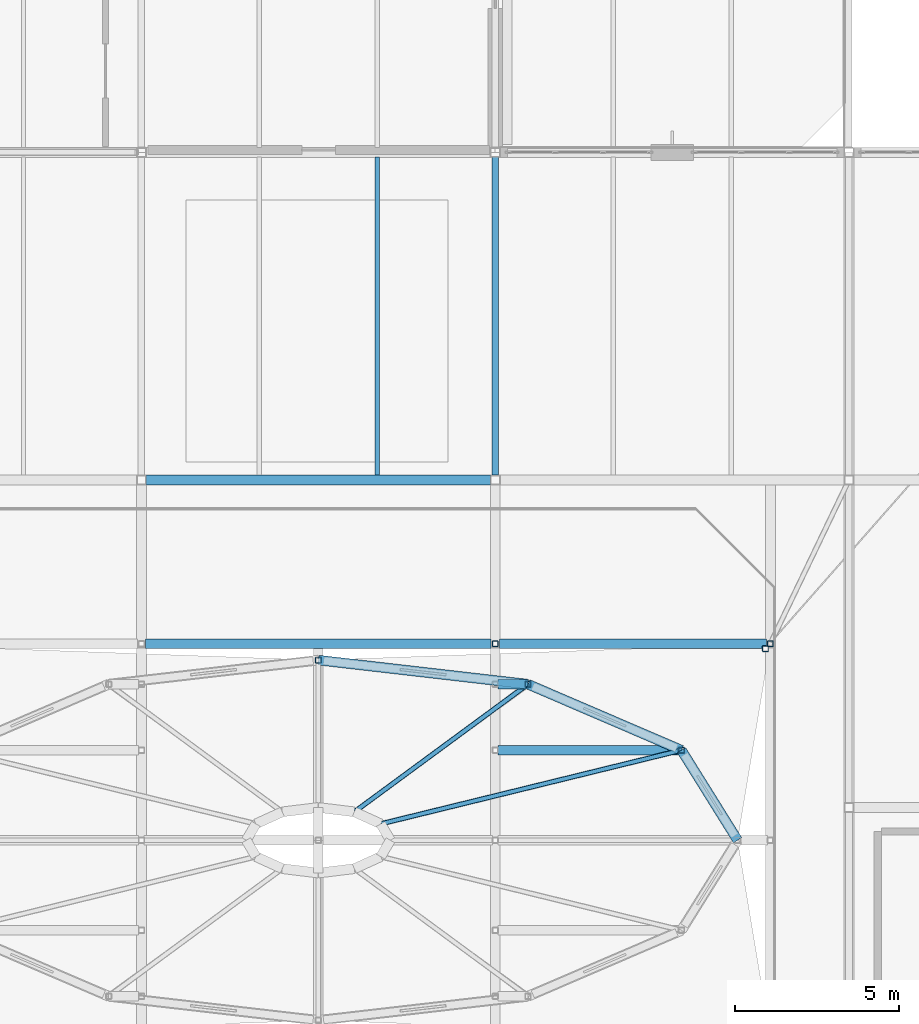
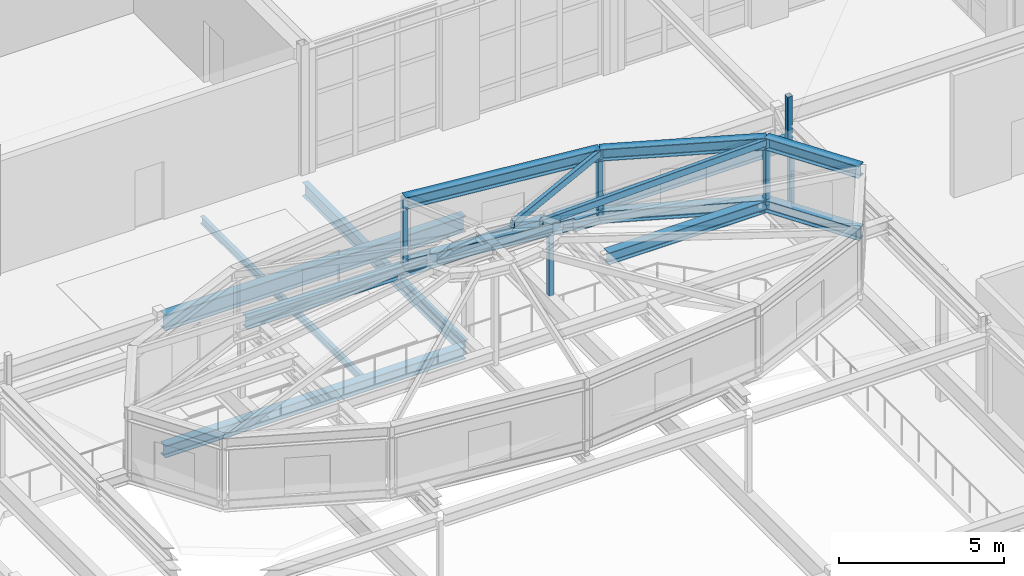
# One storey, part 37 of 86: 14 beams, 8 members.
"""IFC4 building model written with IfcOpenShell, lengths in metres."""

import ifcopenshell
import ifcopenshell.guid

model = None  # the IFC model being written
_history = None  # IfcOwnerHistory: only IFC2X3 demands one
_inside = {}  # id of a spatial element -> (the spatial element, [elements in it])
_under = {}  # id of a project, library or spatial element -> (it, [spatial elements below it])
_declared = {}  # id of a project -> (the project, [libraries it declares])
_typed = {}  # id of a type object -> (the type object, [elements of that type])
_made_of = {}  # id of a material, layer set ... -> (it, [elements and type objects made of it])


def new_model(schema):
    """Start an empty IFC model of exactly this schema.

    Asked for "IFC4X3", IfcOpenShell would pick the latest addendum, in which some entities
    have other attributes; the version numbers below select the first issue.
    IFC2X3 requires an IfcOwnerHistory on every rooted entity: one is made here for all.
    """
    global model, _history
    if schema == "IFC4X3":
        model = ifcopenshell.file(schema_version=(4, 3, 0, 0))
    else:
        model = ifcopenshell.file(schema=schema)
    _inside.clear()
    _under.clear()
    _declared.clear()
    _typed.clear()
    _made_of.clear()
    _history = None
    if model.schema == "IFC2X3":
        org = make("IfcOrganization", Name="unknown")
        user = make(
            "IfcPersonAndOrganization",
            ThePerson=make("IfcPerson", FamilyName="unknown"),
            TheOrganization=org,
        )
        app = make(
            "IfcApplication",
            ApplicationDeveloper=org,
            Version="unknown",
            ApplicationFullName="unknown",
            ApplicationIdentifier="unknown",
        )
        _history = make(
            "IfcOwnerHistory",
            OwningUser=user,
            OwningApplication=app,
            ChangeAction="ADDED",
            CreationDate=0,
        )
    return model


def make(cls, **values):
    """One entity of the class cls with the attributes given. An attribute that is None is left unset."""
    return model.create_entity(
        cls, **{name: value for name, value in values.items() if value is not None}
    )


def rooted(cls, **values):
    """An entity with a GlobalId (a new one), such as an element, a storey or a relation."""
    return make(cls, GlobalId=ifcopenshell.guid.new(), OwnerHistory=_history, **values)


def si_unit(unit_type, name, prefix=None):
    """IfcSIUnit, for example si_unit("LENGTHUNIT", "METRE", prefix="MILLI")."""
    return make("IfcSIUnit", UnitType=unit_type, Prefix=prefix, Name=name)


def assignment(units):
    """IfcUnitAssignment: the units of a project."""
    return None if units is None else make("IfcUnitAssignment", Units=units)


def point(xyz):
    """IfcCartesianPoint."""
    return None if xyz is None else make("IfcCartesianPoint", Coordinates=xyz)


def direction(xyz):
    """IfcDirection."""
    return None if xyz is None else make("IfcDirection", DirectionRatios=xyz)


def frame(location, z_axis=None, x_axis=None):
    """IfcAxis2Placement3D, a coordinate frame: its origin and axes. An axis left out is left unset."""
    return make(
        "IfcAxis2Placement3D",
        Location=point(location),
        Axis=direction(z_axis),
        RefDirection=direction(x_axis),
    )


def frame_2d(location, x_axis=None):
    """IfcAxis2Placement2D, a coordinate frame in the plane: its origin and x axis."""
    return make(
        "IfcAxis2Placement2D", Location=point(location), RefDirection=direction(x_axis)
    )


def origin():
    """The frame at (0, 0, 0) with its axes left unset."""
    return frame((0.0, 0.0, 0.0))


def origin_2d():
    """The frame at (0, 0) in the plane with its x axis left unset."""
    return frame_2d((0.0, 0.0))


def place(relative_to, where):
    """IfcLocalPlacement: puts the frame where relative to a parent placement (None: the world)."""
    return make(
        "IfcLocalPlacement", PlacementRelTo=relative_to, RelativePlacement=where
    )


def context(
    kind, dimensions, precision=None, world=None, true_north=None, identifier=None
):
    """IfcGeometricRepresentationContext, for example the 3D "Model" context."""
    return make(
        "IfcGeometricRepresentationContext",
        ContextIdentifier=identifier,
        ContextType=kind,
        CoordinateSpaceDimension=dimensions,
        Precision=precision,
        WorldCoordinateSystem=world,
        TrueNorth=true_north,
    )


def subcontext(parent, identifier, kind, view, scale=None):
    """IfcGeometricRepresentationSubContext, for example "Body" below "Model"."""
    return make(
        "IfcGeometricRepresentationSubContext",
        ContextIdentifier=identifier,
        ContextType=kind,
        ParentContext=parent,
        TargetScale=scale,
        TargetView=view,
    )


def project(units=None, contexts=None):
    """IfcProject with its units and contexts."""
    return rooted(
        "IfcProject",
        Name="project",
        RepresentationContexts=contexts,
        UnitsInContext=assignment(units),
    )


def spatial(cls, under=None, at=None, **own):
    """A site, building, storey or space (cls), placed at a placement, below another one or the project."""
    s = rooted(cls, ObjectPlacement=at, **own)
    if under is not None:
        _under.setdefault(under.id(), (under, []))[1].append(s)
    return s


def profile(cls, at=None, kind="AREA", **sizes):
    """A parametric profile (cls). Its sizes go by their IFC names, for example OverallWidth=200.0."""
    return make(cls, ProfileType=kind, Position=at, **sizes)


def hollow_rectangle(**sizes):
    """IfcRectangleHollowProfileDef."""
    return profile("IfcRectangleHollowProfileDef", **sizes)


def i_section(**sizes):
    """IfcIShapeProfileDef."""
    return profile("IfcIShapeProfileDef", **sizes)


def extrude(swept, where, along, depth):
    """IfcExtrudedAreaSolid: the profile swept, set in the frame where, extruded along a direction by depth."""
    return make(
        "IfcExtrudedAreaSolid",
        SweptArea=swept,
        Position=where,
        ExtrudedDirection=direction(along),
        Depth=depth,
    )


def shape(context_of_items, identifier, shape_type, items):
    """IfcShapeRepresentation: the items that make up one representation, for example the "Body"."""
    return make(
        "IfcShapeRepresentation",
        ContextOfItems=context_of_items,
        RepresentationIdentifier=identifier,
        RepresentationType=shape_type,
        Items=items,
    )


def material(Name=None, Category=None):
    """IfcMaterial."""
    return make("IfcMaterial", Name=Name, Category=Category)


def material_profile(
    of_material, cross_section, Name=None, Category=None, Priority=None
):
    """IfcMaterialProfile: a cross section and its material."""
    return make(
        "IfcMaterialProfile",
        Name=Name,
        Material=of_material,
        Profile=cross_section,
        Priority=Priority,
        Category=Category,
    )


def profile_set(profiles, Name=None, composite=None):
    """IfcMaterialProfileSet."""
    return make(
        "IfcMaterialProfileSet",
        Name=Name,
        MaterialProfiles=profiles,
        CompositeProfile=composite,
    )


def made_of(thing, what):
    """Note that an element or type object is made of a material, layer set ...; save() writes the relation."""
    if what is not None:
        _made_of.setdefault(what.id(), (what, []))[1].append(thing)
    return thing


def type_object(cls, material=None, **own):
    """A type object (cls), such as IfcWallType, which elements share."""
    return made_of(rooted(cls, **own), material)


def element(
    cls,
    number,
    at=None,
    inside=None,
    cuts=None,
    type_object=None,
    material=None,
    context=None,
    identifier="Body",
    shape_type=None,
    held_by="IfcProductDefinitionShape",
    body=None,
    shapes=None,
    **own,
):
    """One element of the class cls, such as IfcWall. Its Tag is "e" and its number.

    at: its placement. inside: the storey or other place that contains it. cuts: it is an
    opening in that element (IfcRelVoidsElement). A single representation is given by context,
    identifier, shape_type and body (its items); several are given by shapes. held_by: the class
    of the entity that holds the representations. save() writes the other relations.
    """
    e = rooted(cls, Tag="e%d" % number, ObjectPlacement=at, **own)
    if body is not None:
        shapes = [shape(context, identifier, shape_type, body)]
    if shapes is not None:
        e.Representation = make(held_by, Representations=shapes)
    if inside is not None:
        _inside.setdefault(inside.id(), (inside, []))[1].append(e)
    if cuts is not None:
        rooted(
            "IfcRelVoidsElement", RelatingBuildingElement=cuts, RelatedOpeningElement=e
        )
    if type_object is not None:
        _typed.setdefault(type_object.id(), (type_object, []))[1].append(e)
    return made_of(e, material)


def aggregate(whole, parts):
    """IfcRelAggregates: a whole, such as a stair, and the parts it consists of."""
    return rooted("IfcRelAggregates", RelatingObject=whole, RelatedObjects=parts)


def save(model, path):
    """Write the relations noted so far, then the file.

    IfcRelAggregates (storeys below a building ...), IfcRelContainedInSpatialStructure (elements
    in a storey), IfcRelDefinesByType, IfcRelAssociatesMaterial and IfcRelDeclares: one each for
    every whole, place, type object, material and project.
    """
    for whole, parts in _under.values():
        aggregate(whole, parts)
    for where, things in _inside.values():
        rooted(
            "IfcRelContainedInSpatialStructure",
            RelatedElements=things,
            RelatingStructure=where,
        )
    for kind, things in _typed.values():
        rooted("IfcRelDefinesByType", RelatedObjects=things, RelatingType=kind)
    for what, things in _made_of.values():
        rooted("IfcRelAssociatesMaterial", RelatedObjects=things, RelatingMaterial=what)
    for by, libraries in _declared.values():
        rooted("IfcRelDeclares", RelatingContext=by, RelatedDefinitions=libraries)
    model.write(path)


model = new_model("IFC4")

# Units and contexts
model_context = context("Model", 3, precision=1e-05, world=origin(), true_north=direction((0.0, 1.0)))
body_context = subcontext(model_context, "Body", "Model", "MODEL_VIEW")
ifc_project = project(units=[si_unit("LENGTHUNIT", "METRE"), si_unit("AREAUNIT", "SQUARE_METRE"), si_unit("VOLUMEUNIT", "CUBIC_METRE"), si_unit("PLANEANGLEUNIT", "RADIAN"), si_unit("MASSUNIT", "GRAM", prefix="KILO")], contexts=[model_context])

# Site, building, storey
site_placement = place(None, origin())
site = spatial("IfcSite", under=ifc_project, at=site_placement, CompositionType="ELEMENT")
building_placement = place(site_placement, origin())
building = spatial("IfcBuilding", under=site, at=building_placement, Name="Tasgan Crest Museum", CompositionType="ELEMENT")
storey_placement = place(building_placement, frame((0.0, 0.0, 24.0)))
storey = spatial("IfcBuildingStorey", under=building, at=storey_placement, Name="L04", CompositionType="ELEMENT", Elevation=24.0)

# Beams
ifc_material_1 = material(Name="Steel S355K2", Category="steel")
ifc_material_profile_1 = material_profile(ifc_material_1, i_section(OverallWidth=0.300048828125, OverallDepth=0.43994140625, WebThickness=0.011474609375, FlangeThickness=0.02099609375, FilletRadius=0.027099609375, at=origin_2d()), Name="HEA 450")
ifc_profile_set_1 = profile_set([ifc_material_profile_1], Name="Steel S355K2")
beam_type_1 = type_object("IfcBeamType", Name="BM-DRUM-RING", PredefinedType="BEAM", material=ifc_profile_set_1)
beam_1_placement = place(storey_placement, frame((75.72509765625, 67.0, 7.320068359375), z_axis=(1.0, 0.0, 0.0), x_axis=(0.0, 1.0, 0.0)))
element("IfcBeam", 1, at=beam_1_placement, inside=storey, type_object=beam_type_1, Name="Winter-garden crown ring beam N2", PredefinedType="BEAM", context=body_context, shape_type="SweptSolid", body=[
    extrude(i_section(OverallWidth=0.300048828125, OverallDepth=0.43994140625, WebThickness=0.011474609375, FlangeThickness=0.02099609375, FilletRadius=0.027099609375, at=origin_2d()), origin(), (0.0, 0.0, 1.0), 10.5498046875),
])
beam_2_placement = place(storey_placement, frame((86.52490234375, 67.0, 7.320068359375), z_axis=(1.0, 0.0, 0.0), x_axis=(0.0, 1.0, 0.0)))
element("IfcBeam", 2, at=beam_2_placement, inside=storey, type_object=beam_type_1, Name="Winter-garden crown ring beam N3", PredefinedType="BEAM", context=body_context, shape_type="SweptSolid", body=[
    extrude(i_section(OverallWidth=0.300048828125, OverallDepth=0.43994140625, WebThickness=0.011474609375, FlangeThickness=0.02099609375, FilletRadius=0.027099609375, at=origin_2d()), origin(), (0.0, 0.0, 1.0), 8.150146484375),
])
for number, where, z_axis, x_axis, name in (
    (3, (93.800048828125, 61.0, 7.919921875), (-0.529131922022, 0.848539574267, 0.0), (-0.848539574267, -0.529131922022, 0.0), "Rotunda base ring 1"),
    (4, (93.800048828125, 61.0, 10.219970703125), (-0.529131922022, 0.848539574267, 0.0), (-0.848539574267, -0.529131922022, 0.0), "Rotunda eave ring 1"),
):
    element("IfcBeam", number, at=place(storey_placement, frame(where, z_axis=z_axis, x_axis=x_axis)), inside=storey, type_object=beam_type_1, Name=name, PredefinedType="BEAM", context=body_context, shape_type="SweptSolid", body=[
        extrude(i_section(OverallWidth=0.300048828125, OverallDepth=0.43994140625, WebThickness=0.011474609375, FlangeThickness=0.02099609375, FilletRadius=0.027099609375, at=origin_2d()), origin(), (0.0, 0.0, 1.0), 3.240966796875),
    ])
beam_3_placement = place(storey_placement, frame((86.485107421875, 63.75, 7.919921875), z_axis=(1.0, 0.0, 0.0), x_axis=(0.0, 1.0, 0.0)))
element("IfcBeam", 5, at=beam_3_placement, inside=storey, type_object=beam_type_1, Name="Rotunda radial vertex bearer 2", PredefinedType="BEAM", context=body_context, shape_type="SweptSolid", body=[
    extrude(i_section(OverallWidth=0.300048828125, OverallDepth=0.43994140625, WebThickness=0.011474609375, FlangeThickness=0.02099609375, FilletRadius=0.027099609375, at=origin_2d()), origin(), (0.0, 0.0, 1.0), 5.60009765625),
])
for number, where, z_axis, x_axis, name in (
    (6, (92.085205078125, 63.75, 7.919921875), (-0.918775656521, 0.394780056468, 0.0), (-0.394780056468, -0.918775656521, 0.0), "Rotunda base ring 2"),
    (7, (92.085205078125, 63.75, 10.219970703125), (-0.918775656521, 0.394780056468, 0.0), (-0.394780056468, -0.918775656521, 0.0), "Rotunda eave ring 2"),
):
    element("IfcBeam", number, at=place(storey_placement, frame(where, z_axis=z_axis, x_axis=x_axis)), inside=storey, type_object=beam_type_1, Name=name, PredefinedType="BEAM", context=body_context, shape_type="SweptSolid", body=[
        extrude(i_section(OverallWidth=0.300048828125, OverallDepth=0.43994140625, WebThickness=0.011474609375, FlangeThickness=0.02099609375, FilletRadius=0.027099609375, at=origin_2d()), origin(), (0.0, 0.0, 1.0), 5.099609375),
    ])
beam_4_placement = place(storey_placement, frame((86.485107421875, 65.76318359375, 7.919921875), z_axis=(1.0, 0.0, 0.0), x_axis=(0.0, 1.0, 0.0)))
element("IfcBeam", 8, at=beam_4_placement, inside=storey, type_object=beam_type_1, Name="Rotunda radial vertex bearer 3", PredefinedType="BEAM", context=body_context, shape_type="SweptSolid", body=[
    extrude(i_section(OverallWidth=0.300048828125, OverallDepth=0.43994140625, WebThickness=0.011474609375, FlangeThickness=0.02099609375, FilletRadius=0.027099609375, at=origin_2d()), origin(), (0.0, 0.0, 1.0), 0.914794921875),
])
for number, where, z_axis, x_axis, name in (
    (9, (87.39990234375, 65.76318359375, 7.919921875), (-0.993437783684, 0.114373816707, 0.0), (-0.114373816707, -0.993437783684, 0.0), "Rotunda base ring 3"),
    (10, (87.39990234375, 65.76318359375, 10.219970703125), (-0.993437783684, 0.114373816707, 0.0), (-0.114373816707, -0.993437783684, 0.0), "Rotunda eave ring 3"),
):
    element("IfcBeam", number, at=place(storey_placement, frame(where, z_axis=z_axis, x_axis=x_axis)), inside=storey, type_object=beam_type_1, Name=name, PredefinedType="BEAM", context=body_context, shape_type="SweptSolid", body=[
        extrude(i_section(OverallWidth=0.300048828125, OverallDepth=0.43994140625, WebThickness=0.011474609375, FlangeThickness=0.02099609375, FilletRadius=0.027099609375, at=origin_2d()), origin(), (0.0, 0.0, 1.0), 6.442138671875),
    ])
ifc_material_2 = material(Name="Steel S355J2", Category="steel")
ifc_material_profile_2 = material_profile(ifc_material_2, i_section(OverallWidth=0.300048828125, OverallDepth=0.43994140625, WebThickness=0.011474609375, FlangeThickness=0.02099609375, FilletRadius=0.027099609375, at=origin_2d()), Name="HEA 450")
ifc_profile_set_2 = profile_set([ifc_material_profile_2], Name="Steel S355J2")
beam_type_2 = type_object("IfcBeamType", Name="BM-G-HEA450", PredefinedType="BEAM", material=ifc_profile_set_2)
beam_5_placement = place(storey_placement, frame((75.74609375, 72.0, -0.4599609375), z_axis=(1.0, 0.0, 0.0), x_axis=(0.0, 1.0, 0.0)))
element("IfcBeam", 11, at=beam_5_placement, inside=storey, type_object=beam_type_2, Name="Girder L04 H 75.6-86.4", PredefinedType="BEAM", context=body_context, shape_type="SweptSolid", body=[
    extrude(i_section(OverallWidth=0.300048828125, OverallDepth=0.43994140625, WebThickness=0.011474609375, FlangeThickness=0.02099609375, FilletRadius=0.027099609375, at=origin_2d()), origin(), (0.0, 0.0, 1.0), 10.5078125),
])
ifc_material_3 = material(Name="Steel S355J2", Category="steel")
ifc_material_profile_3 = material_profile(ifc_material_3, i_section(OverallWidth=0.300048828125, OverallDepth=0.590087890625, WebThickness=0.012939453125, FlangeThickness=0.02490234375, FilletRadius=0.027099609375, at=origin_2d()), Name="HEA 600")
ifc_profile_set_3 = profile_set([ifc_material_profile_3], Name="Steel S355J2")
beam_type_3 = type_object("IfcBeamType", Name="BM-G-HEA600", PredefinedType="BEAM", material=ifc_profile_set_3)
beam_6_placement = place(storey_placement, frame((75.74609375, 72.0, 4.304931640625), z_axis=(1.0, 0.0, 0.0), x_axis=(0.0, 1.0, 0.0)))
element("IfcBeam", 12, at=beam_6_placement, inside=storey, type_object=beam_type_3, Name="Winter-garden roof girder H 75.6-86.4", PredefinedType="BEAM", context=body_context, shape_type="SweptSolid", body=[
    extrude(i_section(OverallWidth=0.300048828125, OverallDepth=0.590087890625, WebThickness=0.012939453125, FlangeThickness=0.02490234375, FilletRadius=0.027099609375, at=origin_2d()), origin(), (0.0, 0.0, 1.0), 10.5078125),
])
ifc_material_4 = material(Name="Steel S355J2", Category="steel")
ifc_material_profile_4 = material_profile(ifc_material_4, i_section(OverallWidth=0.199951171875, OverallDepth=0.5, WebThickness=0.01025390625, FlangeThickness=0.01611328125, FilletRadius=0.02099609375, at=origin_2d()), Name="IPE 500")
ifc_profile_set_4 = profile_set([ifc_material_profile_4], Name="Steel S355J2")
beam_type_4 = type_object("IfcBeamType", Name="BM-G-IPE500", PredefinedType="BEAM", material=ifc_profile_set_4)
beam_7_placement = place(storey_placement, frame((86.39990234375, 72.14501953125, -0.489990234375), z_axis=(0.0, 1.0, 0.0), x_axis=(-1.0, 0.0, 0.0)))
element("IfcBeam", 13, at=beam_7_placement, inside=storey, type_object=beam_type_4, Name="Beam L04 9 72.0-82.0", PredefinedType="BEAM", context=body_context, shape_type="SweptSolid", body=[
    extrude(i_section(OverallWidth=0.199951171875, OverallDepth=0.5, WebThickness=0.01025390625, FlangeThickness=0.01611328125, FilletRadius=0.02099609375, at=origin_2d()), origin(), (0.0, 0.0, 1.0), 9.7099609375),
])
ifc_material_5 = material(Name="Steel S355J2", Category="steel")
ifc_material_profile_5 = material_profile(ifc_material_5, i_section(OverallWidth=0.135009765625, OverallDepth=0.27001953125, WebThickness=0.006591796875, FlangeThickness=0.01025390625, FilletRadius=0.014892578125, at=origin_2d()), Name="IPE 270")
ifc_profile_set_5 = profile_set([ifc_material_profile_5], Name="Steel S355J2")
beam_type_5 = type_object("IfcBeamType", Name="BM-J-IPE270", PredefinedType="JOIST", material=ifc_profile_set_5)
beam_8_placement = place(storey_placement, frame((82.800048828125, 72.14501953125, -0.375), z_axis=(0.0, 1.0, 0.0), x_axis=(-1.0, 0.0, 0.0)))
element("IfcBeam", 14, at=beam_8_placement, inside=storey, type_object=beam_type_5, Name="Secondary joist L04 X=82.8 Y=72.0-82.0", PredefinedType="JOIST", context=body_context, shape_type="SweptSolid", body=[
    extrude(i_section(OverallWidth=0.135009765625, OverallDepth=0.27001953125, WebThickness=0.006591796875, FlangeThickness=0.01025390625, FilletRadius=0.014892578125, at=origin_2d()), origin(), (0.0, 0.0, 1.0), 9.7099609375),
])

# Members
ifc_material_6 = material(Name="Steel S355K2", Category="steel")
ifc_material_profile_6 = material_profile(ifc_material_6, hollow_rectangle(XDim=0.14990234375, YDim=0.25, WallThickness=0.010009765625, InnerFilletRadius=0.010009765625, OuterFilletRadius=0.02001953125, at=origin_2d()), Name="RHS 250x150x10")
ifc_profile_set_6 = profile_set([ifc_material_profile_6], Name="Steel S355K2")
member_type_1 = type_object("IfcMemberType", Name="MEM-DRUM-RIB", PredefinedType="RAFTER", material=ifc_profile_set_6)
member_1_placement = place(storey_placement, frame((92.085205078125, 63.75, 10.219970703125), z_axis=(-0.95795799205, -0.234795373919, 0.164886681858), x_axis=(0.238053730189, -0.971251986635, 0.0)))
element("IfcMember", 15, at=member_1_placement, inside=storey, type_object=member_type_1, Name="Rotunda radial rafter 2", PredefinedType="RAFTER", context=body_context, shape_type="SweptSolid", body=[
    extrude(hollow_rectangle(XDim=0.14990234375, YDim=0.25, WallThickness=0.010009765625, InnerFilletRadius=0.010009765625, OuterFilletRadius=0.02001953125, at=origin_2d()), origin(), (0.0, 0.0, 1.0), 9.582763671875),
])
member_2_placement = place(storey_placement, frame((87.39990234375, 65.76318359375, 10.219970703125), z_axis=(-0.783349855236, -0.576037117152, 0.233547091537), x_axis=(0.592420206422, -0.805629132432, 0.0)))
element("IfcMember", 16, at=member_2_placement, inside=storey, type_object=member_type_1, Name="Rotunda radial rafter 3", PredefinedType="RAFTER", context=body_context, shape_type="SweptSolid", body=[
    extrude(hollow_rectangle(XDim=0.14990234375, YDim=0.25, WallThickness=0.010009765625, InnerFilletRadius=0.010009765625, OuterFilletRadius=0.02001953125, at=origin_2d()), origin(), (0.0, 0.0, 1.0), 6.765625),
])
ifc_material_7 = material(Name="Steel S355K2", Category="steel")
ifc_material_profile_7 = material_profile(ifc_material_7, hollow_rectangle(XDim=0.179931640625, YDim=0.179931640625, WallThickness=0.010009765625, InnerFilletRadius=0.010009765625, OuterFilletRadius=0.02001953125, at=origin_2d()), Name="SHS 180x180x10")
ifc_profile_set_7 = profile_set([ifc_material_profile_7], Name="Steel S355K2")
member_type_2 = type_object("IfcMemberType", Name="TR-SAW-POST", PredefinedType="POST", material=ifc_profile_set_7)
for number, where, z_axis, x_axis, name in (
    (17, (86.39990234375, 67.0, 4.580078125), (0.0, 0.0, 1.0), (1.0, 0.0, 0.0), "Winter-garden lantern post X=86.4 N"),
    (18, (94.800048828125, 67.0, 4.580078125), (0.0, 0.0, 1.0), (1.0, 0.0, 0.0), "Winter-garden lantern post X=94.8 N"),
):
    element("IfcMember", number, at=place(storey_placement, frame(where, z_axis=z_axis, x_axis=x_axis)), inside=storey, type_object=member_type_2, Name=name, PredefinedType="POST", context=body_context, shape_type="SweptSolid", body=[
        extrude(hollow_rectangle(XDim=0.179931640625, YDim=0.179931640625, WallThickness=0.010009765625, InnerFilletRadius=0.010009765625, OuterFilletRadius=0.02001953125, at=origin_2d()), origin(), (0.0, 0.0, 1.0), 2.739990234375),
    ])
member_3_placement = place(storey_placement, frame((94.64990234375, 66.85009765625, 7.320068359375), z_axis=(0.0, 0.0, 1.0), x_axis=(1.0, 0.0, 0.0)))
element("IfcMember", 19, at=member_3_placement, inside=storey, type_object=member_type_2, Name="Lantern oculus post NE", PredefinedType="POST", context=body_context, shape_type="SweptSolid", body=[
    extrude(hollow_rectangle(XDim=0.179931640625, YDim=0.179931640625, WallThickness=0.010009765625, InnerFilletRadius=0.010009765625, OuterFilletRadius=0.02001953125, at=origin_2d()), origin(), (0.0, 0.0, 1.0), 1.829833984375),
])
for number, where, z_axis, x_axis, name in (
    (20, (92.085205078125, 63.75, 7.919921875), (0.0, 0.0, 1.0), (1.0, 0.0, 0.0), "Rotunda drum post 2"),
    (21, (87.39990234375, 65.76318359375, 7.919921875), (0.0, 0.0, 1.0), (1.0, 0.0, 0.0), "Rotunda drum post 3"),
    (22, (81.0, 66.5, 7.919921875), (0.0, 0.0, 1.0), (1.0, 0.0, 0.0), "Rotunda drum post 4"),
):
    element("IfcMember", number, at=place(storey_placement, frame(where, z_axis=z_axis, x_axis=x_axis)), inside=storey, type_object=member_type_2, Name=name, PredefinedType="POST", context=body_context, shape_type="SweptSolid", body=[
        extrude(hollow_rectangle(XDim=0.179931640625, YDim=0.179931640625, WallThickness=0.010009765625, InnerFilletRadius=0.010009765625, OuterFilletRadius=0.02001953125, at=origin_2d()), origin(), (0.0, 0.0, 1.0), 2.47998046875),
    ])

save(model, "model.ifc")
